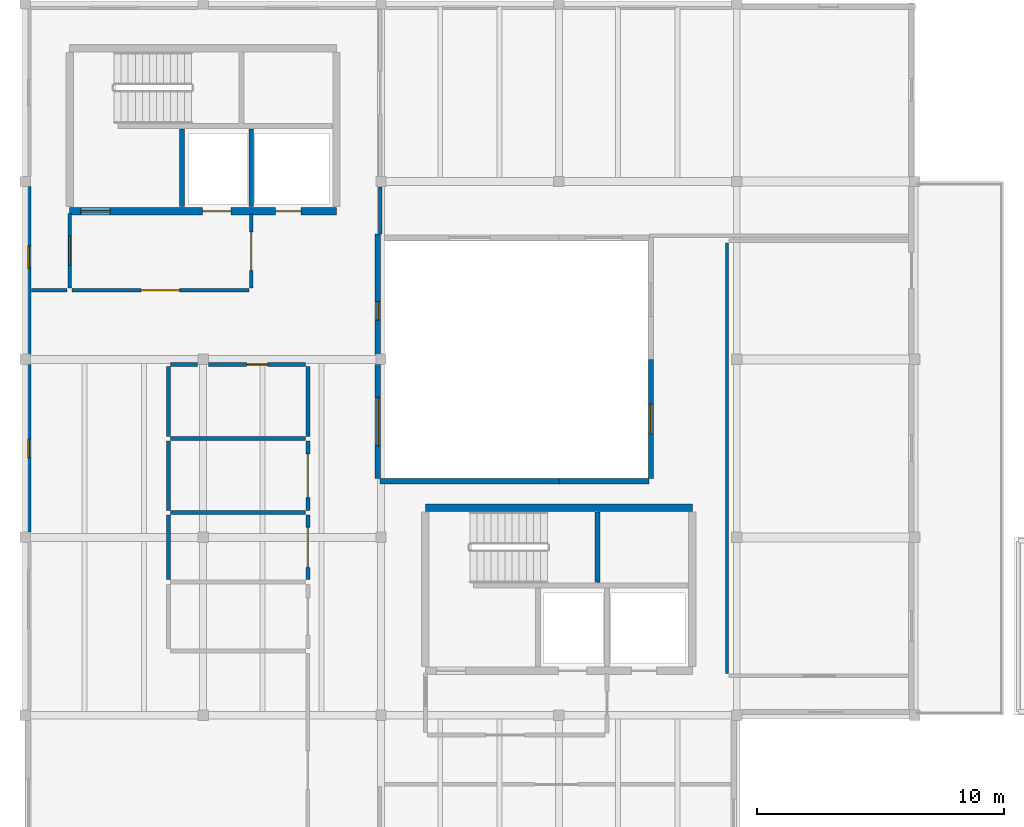
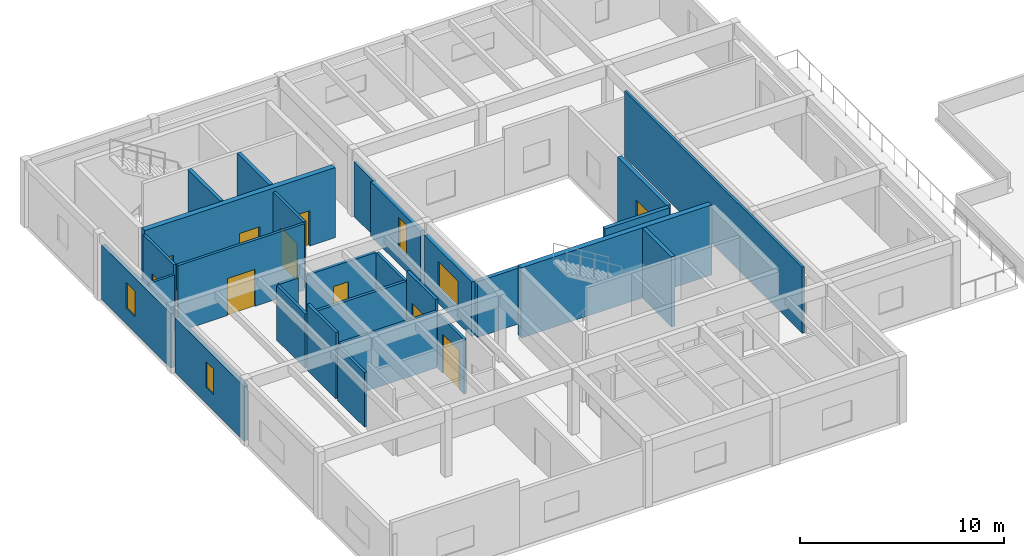
# One storey, part 8 of 15: 28 walls, 9 doors, 5 windows, 14 openings.
"""IFC4 building model written with IfcOpenShell, lengths in metres."""

import ifcopenshell
import ifcopenshell.guid

model = None  # the IFC model being written
_history = None  # IfcOwnerHistory: only IFC2X3 demands one
_inside = {}  # id of a spatial element -> (the spatial element, [elements in it])
_under = {}  # id of a project, library or spatial element -> (it, [spatial elements below it])
_declared = {}  # id of a project -> (the project, [libraries it declares])
_typed = {}  # id of a type object -> (the type object, [elements of that type])
_made_of = {}  # id of a material, layer set ... -> (it, [elements and type objects made of it])


def new_model(schema):
    """Start an empty IFC model of exactly this schema.

    Asked for "IFC4X3", IfcOpenShell would pick the latest addendum, in which some entities
    have other attributes; the version numbers below select the first issue.
    IFC2X3 requires an IfcOwnerHistory on every rooted entity: one is made here for all.
    """
    global model, _history
    if schema == "IFC4X3":
        model = ifcopenshell.file(schema_version=(4, 3, 0, 0))
    else:
        model = ifcopenshell.file(schema=schema)
    _inside.clear()
    _under.clear()
    _declared.clear()
    _typed.clear()
    _made_of.clear()
    _history = None
    if model.schema == "IFC2X3":
        org = make("IfcOrganization", Name="unknown")
        user = make(
            "IfcPersonAndOrganization",
            ThePerson=make("IfcPerson", FamilyName="unknown"),
            TheOrganization=org,
        )
        app = make(
            "IfcApplication",
            ApplicationDeveloper=org,
            Version="unknown",
            ApplicationFullName="unknown",
            ApplicationIdentifier="unknown",
        )
        _history = make(
            "IfcOwnerHistory",
            OwningUser=user,
            OwningApplication=app,
            ChangeAction="ADDED",
            CreationDate=0,
        )
    return model


def make(cls, **values):
    """One entity of the class cls with the attributes given. An attribute that is None is left unset."""
    return model.create_entity(
        cls, **{name: value for name, value in values.items() if value is not None}
    )


def rooted(cls, **values):
    """An entity with a GlobalId (a new one), such as an element, a storey or a relation."""
    return make(cls, GlobalId=ifcopenshell.guid.new(), OwnerHistory=_history, **values)


def si_unit(unit_type, name, prefix=None):
    """IfcSIUnit, for example si_unit("LENGTHUNIT", "METRE", prefix="MILLI")."""
    return make("IfcSIUnit", UnitType=unit_type, Prefix=prefix, Name=name)


def assignment(units):
    """IfcUnitAssignment: the units of a project."""
    return None if units is None else make("IfcUnitAssignment", Units=units)


def point(xyz):
    """IfcCartesianPoint."""
    return None if xyz is None else make("IfcCartesianPoint", Coordinates=xyz)


def direction(xyz):
    """IfcDirection."""
    return None if xyz is None else make("IfcDirection", DirectionRatios=xyz)


def frame(location, z_axis=None, x_axis=None):
    """IfcAxis2Placement3D, a coordinate frame: its origin and axes. An axis left out is left unset."""
    return make(
        "IfcAxis2Placement3D",
        Location=point(location),
        Axis=direction(z_axis),
        RefDirection=direction(x_axis),
    )


def frame_2d(location, x_axis=None):
    """IfcAxis2Placement2D, a coordinate frame in the plane: its origin and x axis."""
    return make(
        "IfcAxis2Placement2D", Location=point(location), RefDirection=direction(x_axis)
    )


def origin():
    """The frame at (0, 0, 0) with its axes left unset."""
    return frame((0.0, 0.0, 0.0))


def place(relative_to, where):
    """IfcLocalPlacement: puts the frame where relative to a parent placement (None: the world)."""
    return make(
        "IfcLocalPlacement", PlacementRelTo=relative_to, RelativePlacement=where
    )


def context(
    kind, dimensions, precision=None, world=None, true_north=None, identifier=None
):
    """IfcGeometricRepresentationContext, for example the 3D "Model" context."""
    return make(
        "IfcGeometricRepresentationContext",
        ContextIdentifier=identifier,
        ContextType=kind,
        CoordinateSpaceDimension=dimensions,
        Precision=precision,
        WorldCoordinateSystem=world,
        TrueNorth=true_north,
    )


def subcontext(parent, identifier, kind, view, scale=None):
    """IfcGeometricRepresentationSubContext, for example "Body" below "Model"."""
    return make(
        "IfcGeometricRepresentationSubContext",
        ContextIdentifier=identifier,
        ContextType=kind,
        ParentContext=parent,
        TargetScale=scale,
        TargetView=view,
    )


def project(units=None, contexts=None):
    """IfcProject with its units and contexts."""
    return rooted(
        "IfcProject",
        Name="project",
        RepresentationContexts=contexts,
        UnitsInContext=assignment(units),
    )


def spatial(cls, under=None, at=None, **own):
    """A site, building, storey or space (cls), placed at a placement, below another one or the project."""
    s = rooted(cls, ObjectPlacement=at, **own)
    if under is not None:
        _under.setdefault(under.id(), (under, []))[1].append(s)
    return s


def profile(cls, at=None, kind="AREA", **sizes):
    """A parametric profile (cls). Its sizes go by their IFC names, for example OverallWidth=200.0."""
    return make(cls, ProfileType=kind, Position=at, **sizes)


def rectangle(**sizes):
    """IfcRectangleProfileDef."""
    return profile("IfcRectangleProfileDef", **sizes)


def extrude(swept, where, along, depth):
    """IfcExtrudedAreaSolid: the profile swept, set in the frame where, extruded along a direction by depth."""
    return make(
        "IfcExtrudedAreaSolid",
        SweptArea=swept,
        Position=where,
        ExtrudedDirection=direction(along),
        Depth=depth,
    )


def shape(context_of_items, identifier, shape_type, items):
    """IfcShapeRepresentation: the items that make up one representation, for example the "Body"."""
    return make(
        "IfcShapeRepresentation",
        ContextOfItems=context_of_items,
        RepresentationIdentifier=identifier,
        RepresentationType=shape_type,
        Items=items,
    )


def material(Name=None, Category=None):
    """IfcMaterial."""
    return make("IfcMaterial", Name=Name, Category=Category)


def layer(
    of_material, thickness, ventilated=None, Name=None, Category=None, Priority=None
):
    """IfcMaterialLayer: one layer of a wall or slab, of a material (None: an air gap)."""
    return make(
        "IfcMaterialLayer",
        Material=of_material,
        LayerThickness=thickness,
        IsVentilated=ventilated,
        Name=Name,
        Category=Category,
        Priority=Priority,
    )


def layer_set(layers, Name=None):
    """IfcMaterialLayerSet."""
    return make("IfcMaterialLayerSet", MaterialLayers=layers, LayerSetName=Name)


def made_of(thing, what):
    """Note that an element or type object is made of a material, layer set ...; save() writes the relation."""
    if what is not None:
        _made_of.setdefault(what.id(), (what, []))[1].append(thing)
    return thing


def type_object(cls, material=None, **own):
    """A type object (cls), such as IfcWallType, which elements share."""
    return made_of(rooted(cls, **own), material)


def element(
    cls,
    number,
    at=None,
    inside=None,
    cuts=None,
    type_object=None,
    material=None,
    context=None,
    identifier="Body",
    shape_type=None,
    held_by="IfcProductDefinitionShape",
    body=None,
    shapes=None,
    **own,
):
    """One element of the class cls, such as IfcWall. Its Tag is "e" and its number.

    at: its placement. inside: the storey or other place that contains it. cuts: it is an
    opening in that element (IfcRelVoidsElement). A single representation is given by context,
    identifier, shape_type and body (its items); several are given by shapes. held_by: the class
    of the entity that holds the representations. save() writes the other relations.
    """
    e = rooted(cls, Tag="e%d" % number, ObjectPlacement=at, **own)
    if body is not None:
        shapes = [shape(context, identifier, shape_type, body)]
    if shapes is not None:
        e.Representation = make(held_by, Representations=shapes)
    if inside is not None:
        _inside.setdefault(inside.id(), (inside, []))[1].append(e)
    if cuts is not None:
        rooted(
            "IfcRelVoidsElement", RelatingBuildingElement=cuts, RelatedOpeningElement=e
        )
    if type_object is not None:
        _typed.setdefault(type_object.id(), (type_object, []))[1].append(e)
    return made_of(e, material)


def fill(opening, filler):
    """IfcRelFillsElement: the door or window that sits in an opening."""
    return rooted(
        "IfcRelFillsElement",
        RelatingOpeningElement=opening,
        RelatedBuildingElement=filler,
    )


def aggregate(whole, parts):
    """IfcRelAggregates: a whole, such as a stair, and the parts it consists of."""
    return rooted("IfcRelAggregates", RelatingObject=whole, RelatedObjects=parts)


def save(model, path):
    """Write the relations noted so far, then the file.

    IfcRelAggregates (storeys below a building ...), IfcRelContainedInSpatialStructure (elements
    in a storey), IfcRelDefinesByType, IfcRelAssociatesMaterial and IfcRelDeclares: one each for
    every whole, place, type object, material and project.
    """
    for whole, parts in _under.values():
        aggregate(whole, parts)
    for where, things in _inside.values():
        rooted(
            "IfcRelContainedInSpatialStructure",
            RelatedElements=things,
            RelatingStructure=where,
        )
    for kind, things in _typed.values():
        rooted("IfcRelDefinesByType", RelatedObjects=things, RelatingType=kind)
    for what, things in _made_of.values():
        rooted("IfcRelAssociatesMaterial", RelatedObjects=things, RelatingMaterial=what)
    for by, libraries in _declared.values():
        rooted("IfcRelDeclares", RelatingContext=by, RelatedDefinitions=libraries)
    model.write(path)


model = new_model("IFC4")

# Units and contexts
model_context = context("Model", 3, precision=1e-05, world=origin(), true_north=direction((0.0, 1.0)))
body_context = subcontext(model_context, "Body", "Model", "MODEL_VIEW")
ifc_project = project(units=[si_unit("LENGTHUNIT", "METRE"), si_unit("AREAUNIT", "SQUARE_METRE"), si_unit("VOLUMEUNIT", "CUBIC_METRE"), si_unit("PLANEANGLEUNIT", "RADIAN"), si_unit("MASSUNIT", "GRAM", prefix="KILO")], contexts=[model_context])

# Site, building, storey
site_placement = place(None, origin())
site = spatial("IfcSite", under=ifc_project, at=site_placement, CompositionType="ELEMENT")
building_placement = place(site_placement, origin())
building = spatial("IfcBuilding", under=site, at=building_placement, Name="Bramvelor Terrace Health Centre", CompositionType="ELEMENT")
storey_placement = place(building_placement, frame((0.0, 0.0, 13.5)))
storey = spatial("IfcBuildingStorey", under=building, at=storey_placement, Name="L04", CompositionType="ELEMENT", Elevation=13.5)

# Walls
ifc_material_1 = material(Name="Acoustic clinical partition board", Category="gypsum")
ifc_layer_1 = layer(ifc_material_1, 0.1298828125)
ifc_layer_set_1 = layer_set([ifc_layer_1], Name="Acoustic clinical partition board")
wall_type_1 = type_object("IfcWallType", Name="WL-CLN-130", PredefinedType="PARTITIONING", material=ifc_layer_set_1)
wall_1_placement = place(storey_placement, frame((28.402099609375, 88.092041015625, 0.0), z_axis=(0.0, 0.0, 1.0), x_axis=(-0.00012614936, 0.999999992043, 0.0)))
element("IfcWall", 1, at=wall_1_placement, inside=storey, type_object=wall_type_1, Name="L04 Interior Partition 304", PredefinedType="PARTITIONING", context=body_context, shape_type="SweptSolid", body=[
    extrude(rectangle(XDim=17.41796875, YDim=0.1298828125, at=frame_2d((8.708984375, 0.0))), origin(), (0.0, 0.0, 1.0), 3.969970703125),
])
wall_2_placement = place(storey_placement, frame((1.699951171875, 103.60009765625, 0.0), z_axis=(0.0, 0.0, 1.0), x_axis=(-1.0, 0.0, 0.0)))
element("IfcWall", 2, at=wall_2_placement, inside=storey, type_object=wall_type_1, Name="L04 Interior Partition 319", PredefinedType="PARTITIONING", context=body_context, shape_type="SweptSolid", body=[
    extrude(rectangle(XDim=1.449951171875, YDim=0.1298828125, at=frame_2d((0.72509765625, 0.0))), origin(), (0.0, 0.0, 1.0), 3.469970703125),
])
ifc_material_2 = material(Name="Concrete C40/50", Category="concrete")
ifc_layer_2 = layer(ifc_material_2, 0.199951171875)
ifc_layer_set_2 = layer_set([ifc_layer_2], Name="Concrete C40/50")
wall_type_2 = type_object("IfcWallType", Name="WL-CORE-200", PredefinedType="SHEAR", material=ifc_layer_set_2)
for number, where, z_axis, x_axis, name in (
    (3, (6.35009765625, 106.97998046875, 0.0), (0.0, 0.0, 1.0), (0.0, 1.0, 0.0), "C1 L04 Core Shear Wall"),
    (4, (9.14990234375, 106.97998046875, 0.0), (0.0, 0.0, 1.0), (0.0, 1.0, 0.0), "C1 L04 Lift Divider Wall"),
):
    element("IfcWall", number, at=place(storey_placement, frame(where, z_axis=z_axis, x_axis=x_axis)), inside=storey, type_object=wall_type_2, Name=name, PredefinedType="SHEAR", context=body_context, shape_type="SweptSolid", body=[
        extrude(rectangle(XDim=3.14990234375, YDim=0.199951171875, at=frame_2d((1.574951171875, 0.0))), origin(), (0.0, 0.0, 1.0), 4.199951171875),
    ])
wall_3_placement = place(storey_placement, frame((23.155029296875, 91.77001953125, 0.0), z_axis=(0.0, 0.0, 1.0), x_axis=(0.0, 1.0, 0.0)))
element("IfcWall", 5, at=wall_3_placement, inside=storey, type_object=wall_type_2, Name="C2 L04 Core Shear Wall", PredefinedType="SHEAR", context=body_context, shape_type="SweptSolid", body=[
    extrude(rectangle(XDim=2.85009765625, YDim=0.199951171875, at=frame_2d((1.425048828125, 0.0))), origin(), (0.0, 0.0, 1.0), 4.199951171875),
])

# Wall, openings, doors
ifc_material_3 = material(Name="Concrete C40/50", Category="concrete")
ifc_layer_3 = layer(ifc_material_3, 0.300048828125)
ifc_layer_set_3 = layer_set([ifc_layer_3], Name="Concrete C40/50")
wall_type_3 = type_object("IfcWallType", Name="WL-CORE-300", PredefinedType="SHEAR", material=ifc_layer_set_3)
wall_4_placement = place(storey_placement, frame((1.800048828125, 106.800048828125, 0.0), z_axis=(0.0, 0.0, 1.0), x_axis=(1.0, 0.0, 0.0)))
wall_4 = element("IfcWall", 6, at=wall_4_placement, inside=storey, type_object=wall_type_3, Name="C1 L04 Core Shear Wall", PredefinedType="SHEAR", context=body_context, shape_type="SweptSolid", body=[
    extrude(rectangle(XDim=10.800048828125, YDim=0.300048828125, at=frame_2d((5.39990234375, 0.0))), origin(), (0.0, 0.0, 1.0), 4.199951171875),
])
opening_1_placement = place(wall_4_placement, frame((0.449951171875, 0.0, 0.0)))
opening_1 = element("IfcOpeningElement", 7, at=opening_1_placement, cuts=wall_4, Name="Opening FD-02", PredefinedType="OPENING", context=body_context, shape_type="SweptSolid", body=[
    extrude(rectangle(XDim=1.179931640625, YDim=2.159912109375, at=frame_2d((0.58984375, 1.080078125))), frame((0.0, 0.159912109375, 0.0), z_axis=(0.0, -1.0, 0.0), x_axis=(1.0, 0.0, 0.0)), (0.0, 0.0, 1.0), 0.320068359375),
])
opening_2_placement = place(wall_4_placement, frame((5.375, 0.0, 0.0)))
opening_2 = element("IfcOpeningElement", 8, at=opening_2_placement, cuts=wall_4, Name="Opening LD-1", PredefinedType="OPENING", context=body_context, shape_type="SweptSolid", body=[
    extrude(rectangle(XDim=1.14990234375, YDim=2.14990234375, at=frame_2d((0.574951171875, 1.074951171875))), frame((0.0, 0.159912109375, 0.0), z_axis=(0.0, -1.0, 0.0), x_axis=(1.0, 0.0, 0.0)), (0.0, 0.0, 1.0), 0.320068359375),
])
opening_3_placement = place(wall_4_placement, frame((8.340087890625, 0.0, 0.0)))
opening_3 = element("IfcOpeningElement", 9, at=opening_3_placement, cuts=wall_4, Name="Opening LD-2", PredefinedType="OPENING", context=body_context, shape_type="SweptSolid", body=[
    extrude(rectangle(XDim=1.02001953125, YDim=2.1201171875, at=frame_2d((0.510009765625, 1.06005859375))), frame((0.0, 0.159912109375, 0.0), z_axis=(0.0, -1.0, 0.0), x_axis=(1.0, 0.0, 0.0)), (0.0, 0.0, 1.0), 0.320068359375),
])
ifc_material_4 = material(Name="Fire-rated steel and vision panel", Category="steel")
door_type_1 = type_object("IfcDoorType", Name="DR-FD90-118", OperationType="NOTDEFINED", PredefinedType="DOOR", material=ifc_material_4)
door_1_placement = place(opening_1_placement, origin())
door_1 = element("IfcDoor", 10, at=door_1_placement, inside=storey, type_object=door_type_1, Name="C1 L04 Core Stair Fire Door", OperationType="SINGLE_SWING_LEFT", OverallHeight=2.159912109375, OverallWidth=1.179931640625, PredefinedType="DOOR", context=body_context, shape_type="SweptSolid", body=[
    extrude(rectangle(XDim=1.179931640625, YDim=2.159912109375, at=frame_2d((0.58984375, 1.080078125))), frame((0.0, 0.02490234375, 0.0), z_axis=(0.0, -1.0, 0.0), x_axis=(1.0, 0.0, 0.0)), (0.0, 0.0, 1.0), 0.050048828125),
])
fill(opening_1, door_1)
ifc_material_5 = material(Name="Brushed stainless steel 316", Category="steel")
door_type_2 = type_object("IfcDoorType", Name="DR-LIFT-FF115", OperationType="DOUBLE_DOOR_SLIDING", PredefinedType="DOOR", material=ifc_material_5)
door_2_placement = place(opening_2_placement, origin())
door_2 = element("IfcDoor", 11, at=door_2_placement, inside=storey, type_object=door_type_2, Name="Lift LF-01 L04 Sliding Landing Door", OperationType="DOUBLE_DOOR_SLIDING", OverallHeight=2.14990234375, OverallWidth=1.14990234375, PredefinedType="DOOR", context=body_context, shape_type="SweptSolid", body=[
    extrude(rectangle(XDim=1.14990234375, YDim=2.14990234375, at=frame_2d((0.574951171875, 1.074951171875))), frame((0.0, 0.02490234375, 0.0), z_axis=(0.0, -1.0, 0.0), x_axis=(1.0, 0.0, 0.0)), (0.0, 0.0, 1.0), 0.050048828125),
])
fill(opening_2, door_2)
ifc_material_6 = material(Name="Brushed stainless steel 316", Category="steel")
door_type_3 = type_object("IfcDoorType", Name="DR-LIFT-PS102", OperationType="SLIDING_TO_LEFT", PredefinedType="DOOR", material=ifc_material_6)
door_3_placement = place(opening_3_placement, origin())
door_3 = element("IfcDoor", 12, at=door_3_placement, inside=storey, type_object=door_type_3, Name="Lift LP-01 L04 Sliding Landing Door", OperationType="SLIDING_TO_LEFT", OverallHeight=2.1201171875, OverallWidth=1.02001953125, PredefinedType="DOOR", context=body_context, shape_type="SweptSolid", body=[
    extrude(rectangle(XDim=1.02001953125, YDim=2.1201171875, at=frame_2d((0.510009765625, 1.06005859375))), frame((0.0, 0.02490234375, 0.0), z_axis=(0.0, -1.0, 0.0), x_axis=(1.0, 0.0, 0.0)), (0.0, 0.0, 1.0), 0.050048828125),
])
fill(opening_3, door_3)

# Wall
wall_5_placement = place(storey_placement, frame((16.199951171875, 94.800048828125, 0.0), z_axis=(0.0, 0.0, 1.0), x_axis=(1.0, 0.0, 0.0)))
element("IfcWall", 13, at=wall_5_placement, inside=storey, type_object=wall_type_3, Name="C2 L04 Core Shear Wall", PredefinedType="SHEAR", context=body_context, shape_type="SweptSolid", body=[
    extrude(rectangle(XDim=10.800048828125, YDim=0.300048828125, at=frame_2d((5.39990234375, 0.0))), origin(), (0.0, 0.0, 1.0), 4.199951171875),
])

# Wall, opening, window
ifc_material_7 = material(Name="Cross-laminated timber C24", Category="wood")
ifc_layer_4 = layer(ifc_material_7, 0.219970703125)
ifc_layer_set_4 = layer_set([ifc_layer_4], Name="Cross-laminated timber C24")
wall_type_4 = type_object("IfcWallType", Name="WL-EXT-CLT220", PredefinedType="SOLIDWALL", material=ifc_layer_set_4)
wall_6_placement = place(storey_placement, frame((0.1298828125, 93.804931640625, 0.0), z_axis=(0.0, 0.0, 1.0), x_axis=(0.0, 1.0, 0.0)))
wall_6 = element("IfcWall", 14, at=wall_6_placement, inside=storey, type_object=wall_type_4, Name="L04 Exterior Facade Wall 47", PredefinedType="SOLIDWALL", context=body_context, shape_type="SweptSolid", body=[
    extrude(rectangle(XDim=6.7900390625, YDim=0.219970703125, at=frame_2d((3.39501953125, 0.0))), origin(), (0.0, 0.0, 1.0), 3.27001953125),
])
opening_4_placement = place(wall_6_placement, frame((3.02001953125, 0.0, 0.949951171875)))
opening_4 = element("IfcOpeningElement", 15, at=opening_4_placement, cuts=wall_6, Name="Opening WN-37", PredefinedType="OPENING", context=body_context, shape_type="SweptSolid", body=[
    extrude(rectangle(XDim=0.75, YDim=1.550048828125, at=frame_2d((0.375, 0.77490234375))), frame((0.0, 0.119873046875, 0.0), z_axis=(0.0, -1.0, 0.0), x_axis=(1.0, 0.0, 0.0)), (0.0, 0.0, 1.0), 0.239990234375),
])
ifc_material_8 = material(Name="Double low-E laminated glass", Category="glass")
window_type_1 = type_object("IfcWindowType", Name="WIN-EXT-37", PartitioningType="SINGLE_PANEL", PredefinedType="WINDOW", material=ifc_material_8)
window_1_placement = place(opening_4_placement, origin())
window_1 = element("IfcWindow", 16, at=window_1_placement, inside=storey, type_object=window_type_1, Name="L04 Scheduled Clinical Window 217", OverallHeight=1.550048828125, OverallWidth=0.75, PartitioningType="SINGLE_PANEL", PredefinedType="WINDOW", context=body_context, shape_type="SweptSolid", body=[
    extrude(rectangle(XDim=0.75, YDim=1.550048828125, at=frame_2d((0.375, 0.77490234375))), frame((0.0, 0.030029296875, 0.0), z_axis=(0.0, -1.0, 0.0), x_axis=(1.0, 0.0, 0.0)), (0.0, 0.0, 1.0), 0.06005859375),
])
fill(opening_4, window_1)

wall_7_placement = place(storey_placement, frame((0.1298828125, 101.0048828125, 0.0), z_axis=(0.0, 0.0, 1.0), x_axis=(0.0, 1.0, 0.0)))
wall_7 = element("IfcWall", 17, at=wall_7_placement, inside=storey, type_object=wall_type_4, Name="L04 Exterior Facade Wall 48", PredefinedType="SOLIDWALL", context=body_context, shape_type="SweptSolid", body=[
    extrude(rectangle(XDim=6.7900390625, YDim=0.219970703125, at=frame_2d((3.39501953125, 0.0))), origin(), (0.0, 0.0, 1.0), 3.27001953125),
])
opening_5_placement = place(wall_7_placement, frame((3.4951171875, 0.0, 0.949951171875)))
opening_5 = element("IfcOpeningElement", 18, at=opening_5_placement, cuts=wall_7, Name="Opening WN-38", PredefinedType="OPENING", context=body_context, shape_type="SweptSolid", body=[
    extrude(rectangle(XDim=0.89990234375, YDim=1.550048828125, at=frame_2d((0.449951171875, 0.77490234375))), frame((0.0, 0.119873046875, 0.0), z_axis=(0.0, -1.0, 0.0), x_axis=(1.0, 0.0, 0.0)), (0.0, 0.0, 1.0), 0.239990234375),
])
ifc_material_9 = material(Name="Double low-E laminated glass", Category="glass")
window_type_2 = type_object("IfcWindowType", Name="WIN-EXT-38", PartitioningType="SINGLE_PANEL", PredefinedType="WINDOW", material=ifc_material_9)
window_2_placement = place(opening_5_placement, origin())
window_2 = element("IfcWindow", 19, at=window_2_placement, inside=storey, type_object=window_type_2, Name="L04 Scheduled Clinical Window 218", OverallHeight=1.550048828125, OverallWidth=0.89990234375, PartitioningType="SINGLE_PANEL", PredefinedType="WINDOW", context=body_context, shape_type="SweptSolid", body=[
    extrude(rectangle(XDim=0.89990234375, YDim=1.550048828125, at=frame_2d((0.449951171875, 0.77490234375))), frame((0.0, 0.030029296875, 0.0), z_axis=(0.0, -1.0, 0.0), x_axis=(1.0, 0.0, 0.0)), (0.0, 0.0, 1.0), 0.06005859375),
])
fill(opening_5, window_2)

wall_8_placement = place(storey_placement, frame((25.330078125, 95.97998046875, 0.0), z_axis=(0.0, 0.0, 1.0), x_axis=(0.0, 1.0, 0.0)))
wall_8 = element("IfcWall", 20, at=wall_8_placement, inside=storey, type_object=wall_type_4, Name="L04 Exterior Facade Wall 50", PredefinedType="SOLIDWALL", context=body_context, shape_type="SweptSolid", body=[
    extrude(rectangle(XDim=4.820068359375, YDim=0.219970703125, at=frame_2d((2.41015625, 0.0))), origin(), (0.0, 0.0, 1.0), 3.969970703125),
])
opening_6_placement = place(wall_8_placement, frame((1.81005859375, 0.0, 0.949951171875)))
opening_6 = element("IfcOpeningElement", 21, at=opening_6_placement, cuts=wall_8, Name="Opening WN-40", PredefinedType="OPENING", context=body_context, shape_type="SweptSolid", body=[
    extrude(rectangle(XDim=1.199951171875, YDim=1.550048828125, at=frame_2d((0.60009765625, 0.77490234375))), frame((0.0, 0.119873046875, 0.0), z_axis=(0.0, -1.0, 0.0), x_axis=(1.0, 0.0, 0.0)), (0.0, 0.0, 1.0), 0.239990234375),
])
ifc_material_10 = material(Name="Double low-E laminated glass", Category="glass")
window_type_3 = type_object("IfcWindowType", Name="WIN-EXT-40", PartitioningType="SINGLE_PANEL", PredefinedType="WINDOW", material=ifc_material_10)
window_3_placement = place(opening_6_placement, origin())
window_3 = element("IfcWindow", 22, at=window_3_placement, inside=storey, type_object=window_type_3, Name="L04 Scheduled Clinical Window 220", OverallHeight=1.550048828125, OverallWidth=1.199951171875, PartitioningType="SINGLE_PANEL", PredefinedType="WINDOW", context=body_context, shape_type="SweptSolid", body=[
    extrude(rectangle(XDim=1.199951171875, YDim=1.550048828125, at=frame_2d((0.60009765625, 0.77490234375))), frame((0.0, 0.030029296875, 0.0), z_axis=(0.0, -1.0, 0.0), x_axis=(1.0, 0.0, 0.0)), (0.0, 0.0, 1.0), 0.06005859375),
])
fill(opening_6, window_3)

wall_9_placement = place(storey_placement, frame((14.27001953125, 105.881103515625, 0.0), z_axis=(0.0, 0.0, 1.0), x_axis=(0.0, -1.0, 0.0)))
wall_9 = element("IfcWall", 23, at=wall_9_placement, inside=storey, type_object=wall_type_4, Name="L04 Exterior Facade Wall 54", PredefinedType="SOLIDWALL", context=body_context, shape_type="SweptSolid", body=[
    extrude(rectangle(XDim=4.876220703125, YDim=0.219970703125, at=frame_2d((2.43798828125, 0.0))), origin(), (0.0, 0.0, 1.0), 3.27001953125),
])
opening_7_placement = place(wall_9_placement, frame((2.743408203125, 0.0, 0.949951171875)))
opening_7 = element("IfcOpeningElement", 24, at=opening_7_placement, cuts=wall_9, Name="Opening WN-49", PredefinedType="OPENING", context=body_context, shape_type="SweptSolid", body=[
    extrude(rectangle(XDim=0.75, YDim=1.85009765625, at=frame_2d((0.375, 0.925048828125))), frame((0.0, 0.119873046875, 0.0), z_axis=(0.0, -1.0, 0.0), x_axis=(1.0, 0.0, 0.0)), (0.0, 0.0, 1.0), 0.239990234375),
])
ifc_material_11 = material(Name="Double low-E laminated glass", Category="glass")
window_type_4 = type_object("IfcWindowType", Name="WIN-EXT-49", PartitioningType="SINGLE_PANEL", PredefinedType="WINDOW", material=ifc_material_11)
window_4_placement = place(opening_7_placement, origin())
window_4 = element("IfcWindow", 25, at=window_4_placement, inside=storey, type_object=window_type_4, Name="L04 Scheduled Clinical Window 224", OverallHeight=1.85009765625, OverallWidth=0.75, PartitioningType="SINGLE_PANEL", PredefinedType="WINDOW", context=body_context, shape_type="SweptSolid", body=[
    extrude(rectangle(XDim=0.75, YDim=1.85009765625, at=frame_2d((0.375, 0.925048828125))), frame((0.0, 0.030029296875, 0.0), z_axis=(0.0, -1.0, 0.0), x_axis=(1.0, 0.0, 0.0)), (0.0, 0.0, 1.0), 0.06005859375),
])
fill(opening_7, window_4)

wall_10_placement = place(storey_placement, frame((14.27001953125, 100.594970703125, 0.0), z_axis=(0.0, 0.0, 1.0), x_axis=(0.0, -1.0, 0.0)))
wall_10 = element("IfcWall", 26, at=wall_10_placement, inside=storey, type_object=wall_type_4, Name="L04 Exterior Facade Wall 55", PredefinedType="SOLIDWALL", context=body_context, shape_type="SweptSolid", body=[
    extrude(rectangle(XDim=4.614990234375, YDim=0.219970703125, at=frame_2d((2.3076171875, 0.0))), origin(), (0.0, 0.0, 1.0), 3.27001953125),
])
opening_8_placement = place(wall_10_placement, frame((1.33251953125, 0.0, 0.949951171875)))
opening_8 = element("IfcOpeningElement", 27, at=opening_8_placement, cuts=wall_10, Name="Opening WN-45", PredefinedType="OPENING", context=body_context, shape_type="SweptSolid", body=[
    extrude(rectangle(XDim=1.949951171875, YDim=1.550048828125, at=frame_2d((0.97509765625, 0.77490234375))), frame((0.0, 0.119873046875, 0.0), z_axis=(0.0, -1.0, 0.0), x_axis=(1.0, 0.0, 0.0)), (0.0, 0.0, 1.0), 0.239990234375),
])
ifc_material_12 = material(Name="Double low-E laminated glass", Category="glass")
window_type_5 = type_object("IfcWindowType", Name="WIN-EXT-45", PartitioningType="SINGLE_PANEL", PredefinedType="WINDOW", material=ifc_material_12)
window_5_placement = place(opening_8_placement, origin())
window_5 = element("IfcWindow", 28, at=window_5_placement, inside=storey, type_object=window_type_5, Name="L04 Scheduled Clinical Window 225", OverallHeight=1.550048828125, OverallWidth=1.949951171875, PartitioningType="SINGLE_PANEL", PredefinedType="WINDOW", context=body_context, shape_type="SweptSolid", body=[
    extrude(rectangle(XDim=1.949951171875, YDim=1.550048828125, at=frame_2d((0.97509765625, 0.77490234375))), frame((0.0, 0.030029296875, 0.0), z_axis=(0.0, -1.0, 0.0), x_axis=(1.0, 0.0, 0.0)), (0.0, 0.0, 1.0), 0.06005859375),
])
fill(opening_8, window_5)

# Walls
wall_11_placement = place(storey_placement, frame((14.360107421875, 95.8701171875, 0.0), z_axis=(0.0, 0.0, 1.0), x_axis=(1.0, 0.0, 0.0)))
element("IfcWall", 29, at=wall_11_placement, inside=storey, type_object=wall_type_4, Name="L04 Exterior Facade Wall 56", PredefinedType="SOLIDWALL", context=body_context, shape_type="SweptSolid", body=[
    extrude(rectangle(XDim=7.239990234375, YDim=0.219970703125, at=frame_2d((3.6201171875, 0.0))), origin(), (0.0, 0.0, 1.0), 3.35009765625),
])
wall_12_placement = place(storey_placement, frame((21.60009765625, 95.8701171875, 0.0), z_axis=(0.0, 0.0, 1.0), x_axis=(1.0, 0.0, 0.0)))
element("IfcWall", 30, at=wall_12_placement, inside=storey, type_object=wall_type_4, Name="L04 Exterior Facade Wall 57", PredefinedType="SOLIDWALL", context=body_context, shape_type="SweptSolid", body=[
    extrude(rectangle(XDim=3.639892578125, YDim=0.219970703125, at=frame_2d((1.81982421875, 0.0))), origin(), (0.0, 0.0, 1.0), 3.969970703125),
])

# Wall, opening, door
ifc_material_13 = material(Name="Fire-rated gypsum and mineral wool", Category="gypsum")
ifc_layer_5 = layer(ifc_material_13, 0.14990234375)
ifc_layer_set_5 = layer_set([ifc_layer_5], Name="Fire-rated gypsum and mineral wool")
wall_type_5 = type_object("IfcWallType", Name="WL-FIR-150", PredefinedType="PARTITIONING", material=ifc_layer_set_5)
wall_13_placement = place(storey_placement, frame((1.800048828125, 103.68994140625, 0.0), z_axis=(0.0, 0.0, 1.0), x_axis=(0.0, 1.0, 0.0)))
wall_13 = element("IfcWall", 31, at=wall_13_placement, inside=storey, type_object=wall_type_5, Name="L04 Interior Partition 279", PredefinedType="PARTITIONING", context=body_context, shape_type="SweptSolid", body=[
    extrude(rectangle(XDim=3.01513671875, YDim=0.14990234375, at=frame_2d((1.507568359375, 0.0))), origin(), (0.0, 0.0, 1.0), 3.969970703125),
])
opening_9_placement = place(wall_13_placement, frame((0.91748046875, 0.0, 0.0)))
opening_9 = element("IfcOpeningElement", 32, at=opening_9_placement, cuts=wall_13, Name="Opening FD-02", PredefinedType="OPENING", context=body_context, shape_type="SweptSolid", body=[
    extrude(rectangle(XDim=1.179931640625, YDim=2.159912109375, at=frame_2d((0.58984375, 1.080078125))), frame((0.0, 0.0849609375, 0.0), z_axis=(0.0, -1.0, 0.0), x_axis=(1.0, 0.0, 0.0)), (0.0, 0.0, 1.0), 0.169921875),
])
door_4_placement = place(opening_9_placement, origin())
door_4 = element("IfcDoor", 33, at=door_4_placement, inside=storey, type_object=door_type_1, Name="L04 Travel Immunization Suite Fire Door", OperationType="SINGLE_SWING_RIGHT", OverallHeight=2.159912109375, OverallWidth=1.179931640625, PredefinedType="DOOR", context=body_context, shape_type="SweptSolid", body=[
    extrude(rectangle(XDim=1.179931640625, YDim=2.159912109375, at=frame_2d((0.58984375, 1.080078125))), frame((0.0, 0.02490234375, 0.0), z_axis=(0.0, -1.0, 0.0), x_axis=(1.0, 0.0, 0.0)), (0.0, 0.0, 1.0), 0.050048828125),
])
fill(opening_9, door_4)

wall_14_placement = place(storey_placement, frame((9.14990234375, 106.68310546875, 0.0), z_axis=(0.0, 0.0, 1.0), x_axis=(0.0, -1.0, 0.0)))
wall_14 = element("IfcWall", 34, at=wall_14_placement, inside=storey, type_object=wall_type_5, Name="L04 Interior Partition 280", PredefinedType="PARTITIONING", context=body_context, shape_type="SweptSolid", body=[
    extrude(rectangle(XDim=2.9931640625, YDim=0.14990234375, at=frame_2d((1.49658203125, 0.0))), origin(), (0.0, 0.0, 1.0), 3.969970703125),
])
opening_10_placement = place(wall_14_placement, frame((0.716552734375, 0.0, 0.0)))
opening_10 = element("IfcOpeningElement", 35, at=opening_10_placement, cuts=wall_14, Name="Opening FD-03", PredefinedType="OPENING", context=body_context, shape_type="SweptSolid", body=[
    extrude(rectangle(XDim=1.56005859375, YDim=2.219970703125, at=frame_2d((0.780029296875, 1.10986328125))), frame((0.0, 0.0849609375, 0.0), z_axis=(0.0, -1.0, 0.0), x_axis=(1.0, 0.0, 0.0)), (0.0, 0.0, 1.0), 0.169921875),
])
ifc_material_14 = material(Name="Fire-rated steel and vision panel", Category="steel")
door_type_4 = type_object("IfcDoorType", Name="DR-FD90-156", OperationType="DOUBLE_DOOR_SINGLE_SWING", PredefinedType="DOOR", material=ifc_material_14)
door_5_placement = place(opening_10_placement, origin())
door_5 = element("IfcDoor", 36, at=door_5_placement, inside=storey, type_object=door_type_4, Name="L04 Fire Compartment Lobby Door 113", OperationType="DOUBLE_DOOR_SINGLE_SWING", OverallHeight=2.219970703125, OverallWidth=1.56005859375, PredefinedType="DOOR", context=body_context, shape_type="SweptSolid", body=[
    extrude(rectangle(XDim=1.56005859375, YDim=2.219970703125, at=frame_2d((0.780029296875, 1.10986328125))), frame((0.0, 0.02490234375, 0.0), z_axis=(0.0, -1.0, 0.0), x_axis=(1.0, 0.0, 0.0)), (0.0, 0.0, 1.0), 0.050048828125),
])
fill(opening_10, door_5)

wall_15_placement = place(storey_placement, frame((9.06005859375, 103.60009765625, 0.0), z_axis=(0.0, 0.0, 1.0), x_axis=(-1.0, 0.0, 0.0)))
wall_15 = element("IfcWall", 37, at=wall_15_placement, inside=storey, type_object=wall_type_5, Name="L04 Interior Partition 281", PredefinedType="PARTITIONING", context=body_context, shape_type="SweptSolid", body=[
    extrude(rectangle(XDim=7.170166015625, YDim=0.14990234375, at=frame_2d((3.5849609375, 0.0))), origin(), (0.0, 0.0, 1.0), 3.969970703125),
])
opening_11_placement = place(wall_15_placement, frame((2.804931640625, 0.0, 0.0)))
opening_11 = element("IfcOpeningElement", 38, at=opening_11_placement, cuts=wall_15, Name="Opening FD-03", PredefinedType="OPENING", context=body_context, shape_type="SweptSolid", body=[
    extrude(rectangle(XDim=1.56005859375, YDim=2.219970703125, at=frame_2d((0.780029296875, 1.10986328125))), frame((0.0, 0.0849609375, 0.0), z_axis=(0.0, -1.0, 0.0), x_axis=(1.0, 0.0, 0.0)), (0.0, 0.0, 1.0), 0.169921875),
])
door_6_placement = place(opening_11_placement, origin())
door_6 = element("IfcDoor", 39, at=door_6_placement, inside=storey, type_object=door_type_4, Name="L04 Fire Compartment Lobby Door 114", OperationType="DOUBLE_DOOR_SINGLE_SWING", OverallHeight=2.219970703125, OverallWidth=1.56005859375, PredefinedType="DOOR", context=body_context, shape_type="SweptSolid", body=[
    extrude(rectangle(XDim=1.56005859375, YDim=2.219970703125, at=frame_2d((0.780029296875, 1.10986328125))), frame((0.0, 0.02490234375, 0.0), z_axis=(0.0, -1.0, 0.0), x_axis=(1.0, 0.0, 0.0)), (0.0, 0.0, 1.0), 0.050048828125),
])
fill(opening_11, door_6)

# Walls
wall_16_placement = place(storey_placement, frame((14.3701171875, 105.868408203125, 0.0), z_axis=(0.0, 0.0, 1.0), x_axis=(0.0, 1.0, 0.0)))
element("IfcWall", 40, at=wall_16_placement, inside=storey, type_object=wall_type_5, Name="L04 Interior Partition 306", PredefinedType="PARTITIONING", context=body_context, shape_type="SweptSolid", body=[
    extrude(rectangle(XDim=1.906494140625, YDim=0.14990234375, at=frame_2d((0.953125, 0.0))), origin(), (0.0, 0.0, 1.0), 3.27001953125),
])
ifc_material_15 = material(Name="Moisture-resistant service chase board", Category="gypsum")
ifc_layer_6 = layer(ifc_material_15, 0.159912109375)
ifc_layer_set_6 = layer_set([ifc_layer_6], Name="Moisture-resistant service chase board")
wall_type_6 = type_object("IfcWallType", Name="WL-PLM-160", PredefinedType="PLUMBINGWALL", material=ifc_layer_set_6)
wall_17_placement = place(storey_placement, frame((5.889892578125, 100.597900390625, 0.0), z_axis=(0.0, 0.0, 1.0), x_axis=(1.0, 0.0, 0.0)))
element("IfcWall", 41, at=wall_17_placement, inside=storey, type_object=wall_type_6, Name="L04 Interior Partition 285", PredefinedType="PLUMBINGWALL", context=body_context, shape_type="SweptSolid", body=[
    extrude(rectangle(XDim=1.085205078125, YDim=0.159912109375, at=frame_2d((0.54248046875, 0.0))), origin(), (0.0, 0.0, 1.0), 3.27001953125),
])

# Wall, opening, door
wall_18_placement = place(storey_placement, frame((7.425048828125, 100.597900390625, 0.0), z_axis=(0.0, 0.0, 1.0), x_axis=(1.0, 0.0, 0.0)))
wall_18 = element("IfcWall", 42, at=wall_18_placement, inside=storey, type_object=wall_type_6, Name="L04 Interior Partition 286", PredefinedType="PLUMBINGWALL", context=body_context, shape_type="SweptSolid", body=[
    extrude(rectangle(XDim=3.925048828125, YDim=0.159912109375, at=frame_2d((1.96240234375, 0.0))), origin(), (0.0, 0.0, 1.0), 3.27001953125),
])
opening_12_placement = place(wall_18_placement, frame((1.53759765625, 0.0, 0.0)))
opening_12 = element("IfcOpeningElement", 43, at=opening_12_placement, cuts=wall_18, Name="Opening ID-C16", PredefinedType="OPENING", context=body_context, shape_type="SweptSolid", body=[
    extrude(rectangle(XDim=0.85009765625, YDim=2.06005859375, at=frame_2d((0.425048828125, 1.030029296875))), frame((0.0, 0.08984375, 0.0), z_axis=(0.0, -1.0, 0.0), x_axis=(1.0, 0.0, 0.0)), (0.0, 0.0, 1.0), 0.179931640625),
])
ifc_material_16 = material(Name="Solid-core acoustic timber laminate", Category="wood")
door_type_5 = type_object("IfcDoorType", Name="DR-CLN-16", OperationType="NOTDEFINED", PredefinedType="DOOR", material=ifc_material_16)
door_7_placement = place(opening_12_placement, origin())
door_7 = element("IfcDoor", 44, at=door_7_placement, inside=storey, type_object=door_type_5, Name="L04 Accessible Male WC Clinical Door", OperationType="SINGLE_SWING_LEFT", OverallHeight=2.06005859375, OverallWidth=0.85009765625, PredefinedType="DOOR", context=body_context, shape_type="SweptSolid", body=[
    extrude(rectangle(XDim=0.85009765625, YDim=2.06005859375, at=frame_2d((0.425048828125, 1.030029296875))), frame((0.0, 0.02490234375, 0.0), z_axis=(0.0, -1.0, 0.0), x_axis=(1.0, 0.0, 0.0)), (0.0, 0.0, 1.0), 0.050048828125),
])
fill(opening_12, door_7)

# Walls
wall_19_placement = place(storey_placement, frame((11.43994140625, 100.508056640625, 0.0), z_axis=(0.0, 0.0, 1.0), x_axis=(0.0, -1.0, 0.0)))
element("IfcWall", 45, at=wall_19_placement, inside=storey, type_object=wall_type_6, Name="L04 Interior Partition 287", PredefinedType="PLUMBINGWALL", context=body_context, shape_type="SweptSolid", body=[
    extrude(rectangle(XDim=2.818115234375, YDim=0.159912109375, at=frame_2d((1.4091796875, 0.0))), origin(), (0.0, 0.0, 1.0), 3.27001953125),
])
wall_20_placement = place(storey_placement, frame((11.35009765625, 97.60009765625, 0.0), z_axis=(0.0, 0.0, 1.0), x_axis=(-1.0, 0.0, 0.0)))
element("IfcWall", 46, at=wall_20_placement, inside=storey, type_object=wall_type_6, Name="L04 Interior Partition 288", PredefinedType="PLUMBINGWALL", context=body_context, shape_type="SweptSolid", body=[
    extrude(rectangle(XDim=5.460205078125, YDim=0.159912109375, at=frame_2d((2.72998046875, 0.0))), origin(), (0.0, 0.0, 1.0), 3.35009765625),
])
wall_21_placement = place(storey_placement, frame((5.800048828125, 97.68994140625, 0.0), z_axis=(0.0, 0.0, 1.0), x_axis=(0.0, 1.0, 0.0)))
element("IfcWall", 47, at=wall_21_placement, inside=storey, type_object=wall_type_6, Name="L04 Interior Partition 289", PredefinedType="PLUMBINGWALL", context=body_context, shape_type="SweptSolid", body=[
    extrude(rectangle(XDim=2.818115234375, YDim=0.159912109375, at=frame_2d((1.4091796875, 0.0))), origin(), (0.0, 0.0, 1.0), 3.27001953125),
])

# Wall, opening, door
wall_22_placement = place(storey_placement, frame((11.43994140625, 97.5, 0.0), z_axis=(0.0, 0.0, 1.0), x_axis=(0.0, -1.0, 0.0)))
wall_22 = element("IfcWall", 48, at=wall_22_placement, inside=storey, type_object=wall_type_6, Name="L04 Interior Partition 290", PredefinedType="PLUMBINGWALL", context=body_context, shape_type="SweptSolid", body=[
    extrude(rectangle(XDim=2.81005859375, YDim=0.159912109375, at=frame_2d((1.405029296875, 0.0))), origin(), (0.0, 0.0, 1.0), 3.969970703125),
])
opening_13_placement = place(wall_22_placement, frame((0.52490234375, 0.0, 0.0)))
opening_13 = element("IfcOpeningElement", 49, at=opening_13_placement, cuts=wall_22, Name="Opening ID-OR1", PredefinedType="OPENING", context=body_context, shape_type="SweptSolid", body=[
    extrude(rectangle(XDim=1.760009765625, YDim=2.3798828125, at=frame_2d((0.8798828125, 1.18994140625))), frame((0.0, 0.08984375, 0.0), z_axis=(0.0, -1.0, 0.0), x_axis=(1.0, 0.0, 0.0)), (0.0, 0.0, 1.0), 0.179931640625),
])
ifc_material_17 = material(Name="Solid-core acoustic timber laminate", Category="wood")
door_type_6 = type_object("IfcDoorType", Name="DR-OR-SLD176", OperationType="DOUBLE_DOOR_SLIDING", PredefinedType="DOOR", material=ifc_material_17)
door_8_placement = place(opening_13_placement, origin())
door_8 = element("IfcDoor", 50, at=door_8_placement, inside=storey, type_object=door_type_6, Name="L04 Accessible Female WC Clinical Door", OperationType="DOUBLE_DOOR_SLIDING", OverallHeight=2.3798828125, OverallWidth=1.760009765625, PredefinedType="DOOR", context=body_context, shape_type="SweptSolid", body=[
    extrude(rectangle(XDim=1.760009765625, YDim=2.3798828125, at=frame_2d((0.8798828125, 1.18994140625))), frame((0.0, 0.02490234375, 0.0), z_axis=(0.0, -1.0, 0.0), x_axis=(1.0, 0.0, 0.0)), (0.0, 0.0, 1.0), 0.050048828125),
])
fill(opening_13, door_8)

# Walls
wall_23_placement = place(storey_placement, frame((11.35009765625, 94.60009765625, 0.0), z_axis=(0.0, 0.0, 1.0), x_axis=(-1.0, 0.0, 0.0)))
element("IfcWall", 51, at=wall_23_placement, inside=storey, type_object=wall_type_6, Name="L04 Interior Partition 291", PredefinedType="PLUMBINGWALL", context=body_context, shape_type="SweptSolid", body=[
    extrude(rectangle(XDim=5.460205078125, YDim=0.159912109375, at=frame_2d((2.72998046875, 0.0))), origin(), (0.0, 0.0, 1.0), 3.35009765625),
])
wall_24_placement = place(storey_placement, frame((5.800048828125, 94.68994140625, 0.0), z_axis=(0.0, 0.0, 1.0), x_axis=(0.0, 1.0, 0.0)))
element("IfcWall", 52, at=wall_24_placement, inside=storey, type_object=wall_type_6, Name="L04 Interior Partition 292", PredefinedType="PLUMBINGWALL", context=body_context, shape_type="SweptSolid", body=[
    extrude(rectangle(XDim=2.81005859375, YDim=0.159912109375, at=frame_2d((1.405029296875, 0.0))), origin(), (0.0, 0.0, 1.0), 3.969970703125),
])

# Wall, opening, door
wall_25_placement = place(storey_placement, frame((11.43994140625, 94.5, 0.0), z_axis=(0.0, 0.0, 1.0), x_axis=(0.0, -1.0, 0.0)))
wall_25 = element("IfcWall", 53, at=wall_25_placement, inside=storey, type_object=wall_type_6, Name="L04 Interior Partition 293", PredefinedType="PLUMBINGWALL", context=body_context, shape_type="SweptSolid", body=[
    extrude(rectangle(XDim=2.610107421875, YDim=0.159912109375, at=frame_2d((1.30517578125, 0.0))), origin(), (0.0, 0.0, 1.0), 3.27001953125),
])
opening_14_placement = place(wall_25_placement, frame((0.4951171875, 0.0, 0.0)))
opening_14 = element("IfcOpeningElement", 54, at=opening_14_placement, cuts=wall_25, Name="Opening ID-OR2", PredefinedType="OPENING", context=body_context, shape_type="SweptSolid", body=[
    extrude(rectangle(XDim=1.6201171875, YDim=2.340087890625, at=frame_2d((0.81005859375, 1.169921875))), frame((0.0, 0.08984375, 0.0), z_axis=(0.0, -1.0, 0.0), x_axis=(1.0, 0.0, 0.0)), (0.0, 0.0, 1.0), 0.179931640625),
])
ifc_material_18 = material(Name="Solid-core acoustic timber laminate", Category="wood")
door_type_7 = type_object("IfcDoorType", Name="DR-OR-SLD162", OperationType="DOUBLE_DOOR_SLIDING", PredefinedType="DOOR", material=ifc_material_18)
door_9_placement = place(opening_14_placement, origin())
door_9 = element("IfcDoor", 55, at=door_9_placement, inside=storey, type_object=door_type_7, Name="L04 Public Male WC Clinical Door", OperationType="DOUBLE_DOOR_SLIDING", OverallHeight=2.340087890625, OverallWidth=1.6201171875, PredefinedType="DOOR", context=body_context, shape_type="SweptSolid", body=[
    extrude(rectangle(XDim=1.6201171875, YDim=2.340087890625, at=frame_2d((0.81005859375, 1.169921875))), frame((0.0, 0.02490234375, 0.0), z_axis=(0.0, -1.0, 0.0), x_axis=(1.0, 0.0, 0.0)), (0.0, 0.0, 1.0), 0.050048828125),
])
fill(opening_14, door_9)

# Wall
wall_26_placement = place(storey_placement, frame((5.800048828125, 91.889892578125, 0.0), z_axis=(0.0, 0.0, 1.0), x_axis=(0.0, 1.0, 0.0)))
element("IfcWall", 56, at=wall_26_placement, inside=storey, type_object=wall_type_6, Name="L04 Interior Partition 295", PredefinedType="PLUMBINGWALL", context=body_context, shape_type="SweptSolid", body=[
    extrude(rectangle(XDim=2.610107421875, YDim=0.159912109375, at=frame_2d((1.30517578125, 0.0))), origin(), (0.0, 0.0, 1.0), 3.27001953125),
])

save(model, "model.ifc")
